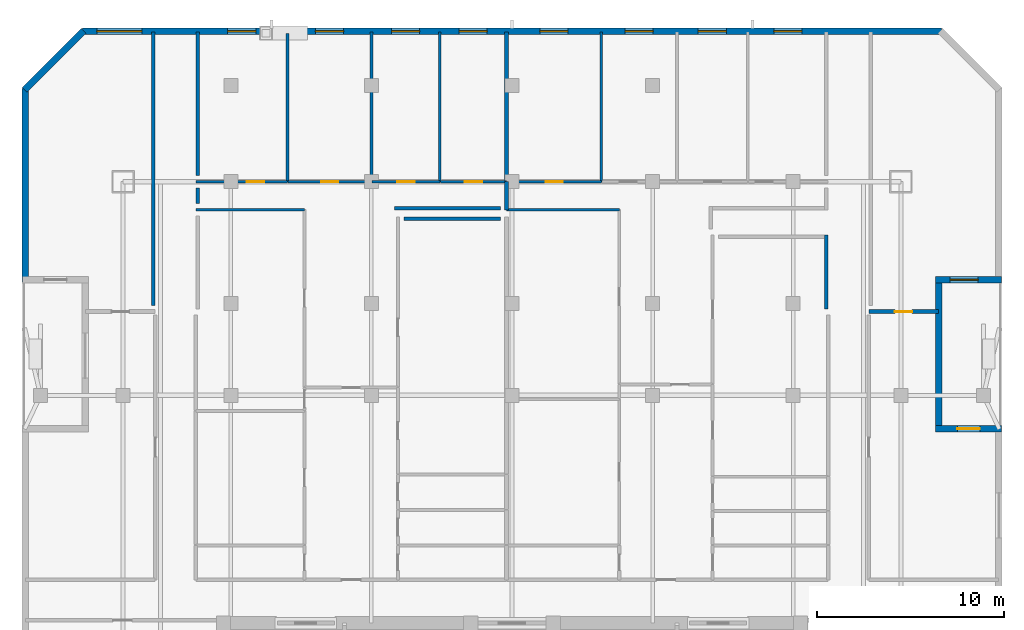
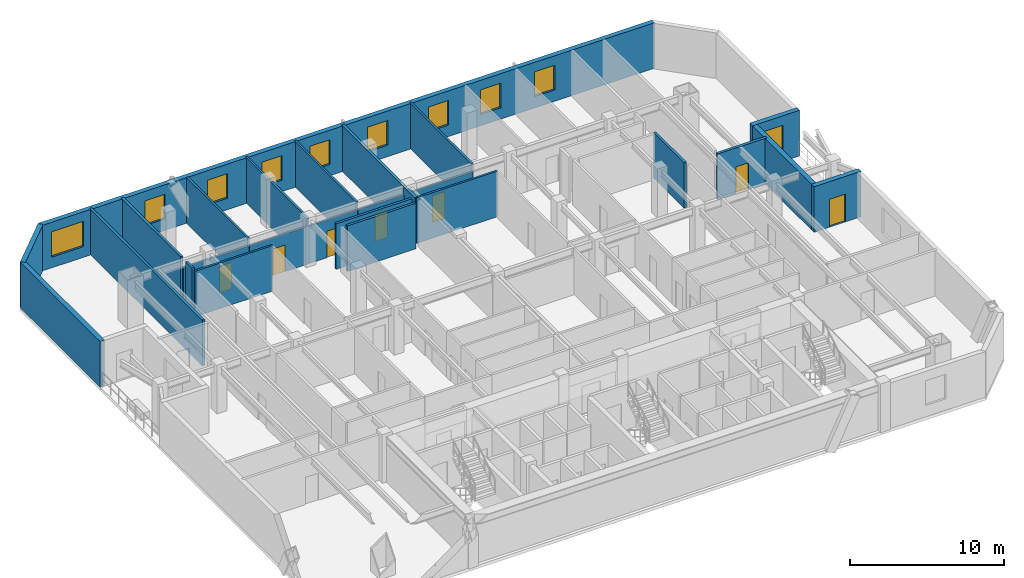
# One storey, part 6 of 9: 26 walls, 10 windows, 7 doors, 17 openings.
"""IFC4 building model written with IfcOpenShell, lengths in metres."""

import ifcopenshell
import ifcopenshell.guid

model = None  # the IFC model being written
_history = None  # IfcOwnerHistory: only IFC2X3 demands one
_inside = {}  # id of a spatial element -> (the spatial element, [elements in it])
_under = {}  # id of a project, library or spatial element -> (it, [spatial elements below it])
_declared = {}  # id of a project -> (the project, [libraries it declares])
_typed = {}  # id of a type object -> (the type object, [elements of that type])
_made_of = {}  # id of a material, layer set ... -> (it, [elements and type objects made of it])


def new_model(schema):
    """Start an empty IFC model of exactly this schema.

    Asked for "IFC4X3", IfcOpenShell would pick the latest addendum, in which some entities
    have other attributes; the version numbers below select the first issue.
    IFC2X3 requires an IfcOwnerHistory on every rooted entity: one is made here for all.
    """
    global model, _history
    if schema == "IFC4X3":
        model = ifcopenshell.file(schema_version=(4, 3, 0, 0))
    else:
        model = ifcopenshell.file(schema=schema)
    _inside.clear()
    _under.clear()
    _declared.clear()
    _typed.clear()
    _made_of.clear()
    _history = None
    if model.schema == "IFC2X3":
        org = make("IfcOrganization", Name="unknown")
        user = make(
            "IfcPersonAndOrganization",
            ThePerson=make("IfcPerson", FamilyName="unknown"),
            TheOrganization=org,
        )
        app = make(
            "IfcApplication",
            ApplicationDeveloper=org,
            Version="unknown",
            ApplicationFullName="unknown",
            ApplicationIdentifier="unknown",
        )
        _history = make(
            "IfcOwnerHistory",
            OwningUser=user,
            OwningApplication=app,
            ChangeAction="ADDED",
            CreationDate=0,
        )
    return model


def make(cls, **values):
    """One entity of the class cls with the attributes given. An attribute that is None is left unset."""
    return model.create_entity(
        cls, **{name: value for name, value in values.items() if value is not None}
    )


def rooted(cls, **values):
    """An entity with a GlobalId (a new one), such as an element, a storey or a relation."""
    return make(cls, GlobalId=ifcopenshell.guid.new(), OwnerHistory=_history, **values)


def si_unit(unit_type, name, prefix=None):
    """IfcSIUnit, for example si_unit("LENGTHUNIT", "METRE", prefix="MILLI")."""
    return make("IfcSIUnit", UnitType=unit_type, Prefix=prefix, Name=name)


def assignment(units):
    """IfcUnitAssignment: the units of a project."""
    return None if units is None else make("IfcUnitAssignment", Units=units)


def point(xyz):
    """IfcCartesianPoint."""
    return None if xyz is None else make("IfcCartesianPoint", Coordinates=xyz)


def direction(xyz):
    """IfcDirection."""
    return None if xyz is None else make("IfcDirection", DirectionRatios=xyz)


def frame(location, z_axis=None, x_axis=None):
    """IfcAxis2Placement3D, a coordinate frame: its origin and axes. An axis left out is left unset."""
    return make(
        "IfcAxis2Placement3D",
        Location=point(location),
        Axis=direction(z_axis),
        RefDirection=direction(x_axis),
    )


def frame_2d(location, x_axis=None):
    """IfcAxis2Placement2D, a coordinate frame in the plane: its origin and x axis."""
    return make(
        "IfcAxis2Placement2D", Location=point(location), RefDirection=direction(x_axis)
    )


def origin():
    """The frame at (0, 0, 0) with its axes left unset."""
    return frame((0.0, 0.0, 0.0))


def place(relative_to, where):
    """IfcLocalPlacement: puts the frame where relative to a parent placement (None: the world)."""
    return make(
        "IfcLocalPlacement", PlacementRelTo=relative_to, RelativePlacement=where
    )


def context(
    kind, dimensions, precision=None, world=None, true_north=None, identifier=None
):
    """IfcGeometricRepresentationContext, for example the 3D "Model" context."""
    return make(
        "IfcGeometricRepresentationContext",
        ContextIdentifier=identifier,
        ContextType=kind,
        CoordinateSpaceDimension=dimensions,
        Precision=precision,
        WorldCoordinateSystem=world,
        TrueNorth=true_north,
    )


def subcontext(parent, identifier, kind, view, scale=None):
    """IfcGeometricRepresentationSubContext, for example "Body" below "Model"."""
    return make(
        "IfcGeometricRepresentationSubContext",
        ContextIdentifier=identifier,
        ContextType=kind,
        ParentContext=parent,
        TargetScale=scale,
        TargetView=view,
    )


def project(units=None, contexts=None):
    """IfcProject with its units and contexts."""
    return rooted(
        "IfcProject",
        Name="project",
        RepresentationContexts=contexts,
        UnitsInContext=assignment(units),
    )


def spatial(cls, under=None, at=None, **own):
    """A site, building, storey or space (cls), placed at a placement, below another one or the project."""
    s = rooted(cls, ObjectPlacement=at, **own)
    if under is not None:
        _under.setdefault(under.id(), (under, []))[1].append(s)
    return s


def profile(cls, at=None, kind="AREA", **sizes):
    """A parametric profile (cls). Its sizes go by their IFC names, for example OverallWidth=200.0."""
    return make(cls, ProfileType=kind, Position=at, **sizes)


def rectangle(**sizes):
    """IfcRectangleProfileDef."""
    return profile("IfcRectangleProfileDef", **sizes)


def extrude(swept, where, along, depth):
    """IfcExtrudedAreaSolid: the profile swept, set in the frame where, extruded along a direction by depth."""
    return make(
        "IfcExtrudedAreaSolid",
        SweptArea=swept,
        Position=where,
        ExtrudedDirection=direction(along),
        Depth=depth,
    )


def shape(context_of_items, identifier, shape_type, items):
    """IfcShapeRepresentation: the items that make up one representation, for example the "Body"."""
    return make(
        "IfcShapeRepresentation",
        ContextOfItems=context_of_items,
        RepresentationIdentifier=identifier,
        RepresentationType=shape_type,
        Items=items,
    )


def material(Name=None, Category=None):
    """IfcMaterial."""
    return make("IfcMaterial", Name=Name, Category=Category)


def layer(
    of_material, thickness, ventilated=None, Name=None, Category=None, Priority=None
):
    """IfcMaterialLayer: one layer of a wall or slab, of a material (None: an air gap)."""
    return make(
        "IfcMaterialLayer",
        Material=of_material,
        LayerThickness=thickness,
        IsVentilated=ventilated,
        Name=Name,
        Category=Category,
        Priority=Priority,
    )


def layer_set(layers, Name=None):
    """IfcMaterialLayerSet."""
    return make("IfcMaterialLayerSet", MaterialLayers=layers, LayerSetName=Name)


def made_of(thing, what):
    """Note that an element or type object is made of a material, layer set ...; save() writes the relation."""
    if what is not None:
        _made_of.setdefault(what.id(), (what, []))[1].append(thing)
    return thing


def type_object(cls, material=None, **own):
    """A type object (cls), such as IfcWallType, which elements share."""
    return made_of(rooted(cls, **own), material)


def element(
    cls,
    number,
    at=None,
    inside=None,
    cuts=None,
    type_object=None,
    material=None,
    context=None,
    identifier="Body",
    shape_type=None,
    held_by="IfcProductDefinitionShape",
    body=None,
    shapes=None,
    **own,
):
    """One element of the class cls, such as IfcWall. Its Tag is "e" and its number.

    at: its placement. inside: the storey or other place that contains it. cuts: it is an
    opening in that element (IfcRelVoidsElement). A single representation is given by context,
    identifier, shape_type and body (its items); several are given by shapes. held_by: the class
    of the entity that holds the representations. save() writes the other relations.
    """
    e = rooted(cls, Tag="e%d" % number, ObjectPlacement=at, **own)
    if body is not None:
        shapes = [shape(context, identifier, shape_type, body)]
    if shapes is not None:
        e.Representation = make(held_by, Representations=shapes)
    if inside is not None:
        _inside.setdefault(inside.id(), (inside, []))[1].append(e)
    if cuts is not None:
        rooted(
            "IfcRelVoidsElement", RelatingBuildingElement=cuts, RelatedOpeningElement=e
        )
    if type_object is not None:
        _typed.setdefault(type_object.id(), (type_object, []))[1].append(e)
    return made_of(e, material)


def fill(opening, filler):
    """IfcRelFillsElement: the door or window that sits in an opening."""
    return rooted(
        "IfcRelFillsElement",
        RelatingOpeningElement=opening,
        RelatedBuildingElement=filler,
    )


def aggregate(whole, parts):
    """IfcRelAggregates: a whole, such as a stair, and the parts it consists of."""
    return rooted("IfcRelAggregates", RelatingObject=whole, RelatedObjects=parts)


def save(model, path):
    """Write the relations noted so far, then the file.

    IfcRelAggregates (storeys below a building ...), IfcRelContainedInSpatialStructure (elements
    in a storey), IfcRelDefinesByType, IfcRelAssociatesMaterial and IfcRelDeclares: one each for
    every whole, place, type object, material and project.
    """
    for whole, parts in _under.values():
        aggregate(whole, parts)
    for where, things in _inside.values():
        rooted(
            "IfcRelContainedInSpatialStructure",
            RelatedElements=things,
            RelatingStructure=where,
        )
    for kind, things in _typed.values():
        rooted("IfcRelDefinesByType", RelatedObjects=things, RelatingType=kind)
    for what, things in _made_of.values():
        rooted("IfcRelAssociatesMaterial", RelatedObjects=things, RelatingMaterial=what)
    for by, libraries in _declared.values():
        rooted("IfcRelDeclares", RelatingContext=by, RelatedDefinitions=libraries)
    model.write(path)


model = new_model("IFC4")

# Units and contexts
model_context = context("Model", 3, precision=1e-05, world=origin(), true_north=direction((0.0, 1.0)))
body_context = subcontext(model_context, "Body", "Model", "MODEL_VIEW")
ifc_project = project(units=[si_unit("LENGTHUNIT", "METRE"), si_unit("AREAUNIT", "SQUARE_METRE"), si_unit("VOLUMEUNIT", "CUBIC_METRE"), si_unit("PLANEANGLEUNIT", "RADIAN"), si_unit("MASSUNIT", "GRAM", prefix="KILO")], contexts=[model_context])

# Site, building, storey
site_placement = place(None, origin())
site = spatial("IfcSite", under=ifc_project, at=site_placement, CompositionType="ELEMENT")
building_placement = place(site_placement, origin())
building = spatial("IfcBuilding", under=site, at=building_placement, Name="Ventersveld Concourse Tower", CompositionType="ELEMENT")
storey_placement = place(building_placement, frame((0.0, 0.0, 115.699951171875)))
storey = spatial("IfcBuildingStorey", under=building, at=storey_placement, Name="L28", CompositionType="ELEMENT", Elevation=115.699951171875)

# Walls
ifc_material_1 = material(Name="Fire-rated autoclaved aerated masonry blockwork", Category="masonry")
ifc_layer_1 = layer(ifc_material_1, 0.179931640625)
ifc_layer_set_1 = layer_set([ifc_layer_1], Name="Fire-rated autoclaved aerated masonry blockwork")
wall_type_1 = type_object("IfcWallType", Name="WL-CORR-180", PredefinedType="PARTITIONING", material=ifc_layer_set_1)
wall_1_placement = place(storey_placement, frame((9.6201171875, 42.989990234375, 0.0), z_axis=(0.0, 0.0, 1.0), x_axis=(0.0, -1.0, 0.0)))
element("IfcWall", 1, at=wall_1_placement, inside=storey, type_object=wall_type_1, Name="L28 Room Enclosure Wall SP-L28-NWLNG2", PredefinedType="PARTITIONING", context=body_context, shape_type="SweptSolid", body=[
    extrude(rectangle(XDim=14.594970703125, YDim=0.179931640625, at=frame_2d((7.29736328125, 0.0))), origin(), (0.0, 0.0, 1.0), 3.60009765625),
])
wall_2_placement = place(storey_placement, frame((11.97998046875, 33.824951171875, 0.0), z_axis=(0.0, 0.0, 1.0), x_axis=(0.0, 1.0, 0.0)))
element("IfcWall", 2, at=wall_2_placement, inside=storey, type_object=wall_type_1, Name="L28 Room Enclosure Wall SP-L28-28N1-LIV", PredefinedType="PARTITIONING", context=body_context, shape_type="SweptSolid", body=[
    extrude(rectangle(XDim=0.85009765625, YDim=0.179931640625, at=frame_2d((0.425048828125, 0.0))), origin(), (0.0, 0.0, 1.0), 3.60009765625),
])
wall_3_placement = place(storey_placement, frame((28.1279296875, 33.590087890625, 0.0), z_axis=(0.0, 0.0, 1.0), x_axis=(-1.0, 0.0, 0.0)))
element("IfcWall", 3, at=wall_3_placement, inside=storey, type_object=wall_type_1, Name="L28 Room Enclosure Wall SP-L28-28N1-LIV", PredefinedType="PARTITIONING", context=body_context, shape_type="SweptSolid", body=[
    extrude(rectangle(XDim=5.6513671875, YDim=0.179931640625, at=frame_2d((2.82568359375, 0.0))), origin(), (0.0, 0.0, 1.0), 3.60009765625),
])
wall_4_placement = place(storey_placement, frame((22.986572265625, 33.015380859375, 0.0), z_axis=(0.0, 0.0, 1.0), x_axis=(1.0, 0.0, 0.0)))
element("IfcWall", 4, at=wall_4_placement, inside=storey, type_object=wall_type_1, Name="L28 Room Enclosure Wall SP-L28-28N1-DENR", PredefinedType="PARTITIONING", context=body_context, shape_type="SweptSolid", body=[
    extrude(rectangle(XDim=5.141357421875, YDim=0.179931640625, at=frame_2d((2.57080078125, 0.0))), origin(), (0.0, 0.0, 1.0), 3.60009765625),
])
wall_5_placement = place(storey_placement, frame((11.97998046875, 35.324951171875, 0.0), z_axis=(0.0, 0.0, 1.0), x_axis=(0.0, 1.0, 0.0)))
element("IfcWall", 5, at=wall_5_placement, inside=storey, type_object=wall_type_1, Name="L28 Room Enclosure Wall SP-L28-28N1-BR1", PredefinedType="PARTITIONING", context=body_context, shape_type="SweptSolid", body=[
    extrude(rectangle(XDim=7.6650390625, YDim=0.179931640625, at=frame_2d((3.83251953125, 0.0))), origin(), (0.0, 0.0, 1.0), 3.60009765625),
])
wall_6_placement = place(storey_placement, frame((45.52001953125, 32.15576171875, 0.0), z_axis=(0.0, 0.0, 1.0), x_axis=(0.0, -1.0, 0.0)))
element("IfcWall", 6, at=wall_6_placement, inside=storey, type_object=wall_type_1, Name="L28 Room Enclosure Wall SP-L28-28N2-DENR", PredefinedType="PARTITIONING", context=body_context, shape_type="SweptSolid", body=[
    extrude(rectangle(XDim=3.94580078125, YDim=0.179931640625, at=frame_2d((1.972900390625, 0.0))), origin(), (0.0, 0.0, 1.0), 3.60009765625),
])

# Wall, opening, door
ifc_layer_2 = layer(ifc_material_1, 0.199951171875)
ifc_layer_set_2 = layer_set([ifc_layer_2], Name="Fire-rated autoclaved aerated masonry blockwork")
wall_type_2 = type_object("IfcWallType", Name="WL-DEMISE-200", PredefinedType="PARTITIONING", material=ifc_layer_set_2)
wall_7_placement = place(storey_placement, frame((47.784912109375, 28.070068359375, 0.0), z_axis=(0.0, 0.0, 1.0), x_axis=(1.0, 0.0, 0.0)))
wall_7 = element("IfcWall", 7, at=wall_7_placement, inside=storey, type_object=wall_type_2, Name="L28 Interior Partition SP-L28-NELNG1-SP-L28-NELNG2", PredefinedType="PARTITIONING", context=body_context, shape_type="SweptSolid", body=[
    extrude(rectangle(XDim=3.705078125, YDim=0.199951171875, at=frame_2d((1.8525390625, 0.0))), origin(), (0.0, 0.0, 1.0), 3.60009765625),
])
opening_1_placement = place(wall_7_placement, frame((1.392578125, 0.0, 0.0)))
opening_1 = element("IfcOpeningElement", 8, at=opening_1_placement, cuts=wall_7, Name="Opening ID1", PredefinedType="OPENING", context=body_context, shape_type="SweptSolid", body=[
    extrude(rectangle(XDim=0.919921875, YDim=2.10009765625, at=frame_2d((0.4599609375, 1.050048828125))), frame((0.0, 0.10986328125, 0.0), z_axis=(0.0, -1.0, 0.0), x_axis=(1.0, 0.0, 0.0)), (0.0, 0.0, 1.0), 0.219970703125),
])
ifc_material_2 = material(Name="Solid-core hardwood veneer timber", Category="wood")
door_type_1 = type_object("IfcDoorType", Name="DR-ROOM-092", OperationType="NOTDEFINED", PredefinedType="DOOR", material=ifc_material_2)
door_1_placement = place(opening_1_placement, origin())
door_1 = element("IfcDoor", 9, at=door_1_placement, inside=storey, type_object=door_type_1, Name="L28 Interior Door SP-L28-NELNG1 to SP-L28-NELNG2 (D-L28-1391)", OperationType="SINGLE_SWING_LEFT", OverallHeight=2.10009765625, OverallWidth=0.919921875, PredefinedType="DOOR", context=body_context, shape_type="SweptSolid", body=[
    extrude(rectangle(XDim=0.919921875, YDim=2.10009765625, at=frame_2d((0.4599609375, 1.050048828125))), frame((0.0, 0.02490234375, 0.0), z_axis=(0.0, -1.0, 0.0), x_axis=(1.0, 0.0, 0.0)), (0.0, 0.0, 1.0), 0.050048828125),
])
fill(opening_1, door_1)

# Walls
wall_8_placement = place(storey_placement, frame((28.452880859375, 33.4951171875, 0.0), z_axis=(0.0, 0.0, 1.0), x_axis=(0.0, 1.0, 0.0)))
element("IfcWall", 10, at=wall_8_placement, inside=storey, type_object=wall_type_2, Name="L28 Interior Partition SP-L28-28N1-LIV-SP-L28-28N2-LIV", PredefinedType="PARTITIONING", context=body_context, shape_type="SweptSolid", body=[
    extrude(rectangle(XDim=1.509765625, YDim=0.199951171875, at=frame_2d((0.7548828125, 0.0))), origin(), (0.0, 0.0, 1.0), 3.60009765625),
])
wall_9_placement = place(storey_placement, frame((28.452880859375, 35.034912109375, 0.0), z_axis=(0.0, 0.0, 1.0), x_axis=(0.0, 1.0, 0.0)))
element("IfcWall", 11, at=wall_9_placement, inside=storey, type_object=wall_type_2, Name="L28 Interior Partition SP-L28-28N1-BR4-SP-L28-28N2-BR1", PredefinedType="PARTITIONING", context=body_context, shape_type="SweptSolid", body=[
    extrude(rectangle(XDim=7.955078125, YDim=0.199951171875, at=frame_2d((3.9775390625, 0.0))), origin(), (0.0, 0.0, 1.0), 3.60009765625),
])
ifc_material_3 = material(Name="Autoclaved aerated masonry blockwork", Category="masonry")
ifc_layer_3 = layer(ifc_material_3, 0.14990234375)
ifc_layer_set_3 = layer_set([ifc_layer_3], Name="Autoclaved aerated masonry blockwork")
wall_type_3 = type_object("IfcWallType", Name="WL-INT-150", PredefinedType="PARTITIONING", material=ifc_layer_set_3)
wall_10_placement = place(storey_placement, frame((11.885009765625, 33.5, 0.0), z_axis=(0.0, 0.0, 1.0), x_axis=(1.0, 0.0, 0.0)))
element("IfcWall", 12, at=wall_10_placement, inside=storey, type_object=wall_type_3, Name="L28 Interior Partition SP-L28-28N1-LIV-SP-L28-28N1-MEDL2", PredefinedType="PARTITIONING", context=body_context, shape_type="SweptSolid", body=[
    extrude(rectangle(XDim=5.801513671875, YDim=0.14990234375, at=frame_2d((2.90087890625, 0.0))), origin(), (0.0, 0.0, 1.0), 3.60009765625),
])

# Wall, opening, door
wall_11_placement = place(storey_placement, frame((11.885009765625, 35.0, 0.0), z_axis=(0.0, 0.0, 1.0), x_axis=(1.0, 0.0, 0.0)))
wall_11 = element("IfcWall", 13, at=wall_11_placement, inside=storey, type_object=wall_type_3, Name="L28 Interior Partition SP-L28-28N1-LIV-SP-L28-28N1-BR1", PredefinedType="PARTITIONING", context=body_context, shape_type="SweptSolid", body=[
    extrude(rectangle(XDim=4.893310546875, YDim=0.14990234375, at=frame_2d((2.44677734375, 0.0))), origin(), (0.0, 0.0, 1.0), 2.98291015625),
])
opening_2_placement = place(wall_11_placement, frame((2.720703125, 0.0, 0.0)))
opening_2 = element("IfcOpeningElement", 14, at=opening_2_placement, cuts=wall_11, Name="Opening ID1", PredefinedType="OPENING", context=body_context, shape_type="SweptSolid", body=[
    extrude(rectangle(XDim=0.919921875, YDim=2.10009765625, at=frame_2d((0.4599609375, 1.050048828125))), frame((0.0, 0.0849609375, 0.0), z_axis=(0.0, -1.0, 0.0), x_axis=(1.0, 0.0, 0.0)), (0.0, 0.0, 1.0), 0.169921875),
])
door_2_placement = place(opening_2_placement, origin())
door_2 = element("IfcDoor", 15, at=door_2_placement, inside=storey, type_object=door_type_1, Name="L28 Interior Door SP-L28-28N1-LIV to SP-L28-28N1-BR1 (D-L28-1402)", OperationType="SINGLE_SWING_RIGHT", OverallHeight=2.10009765625, OverallWidth=0.919921875, PredefinedType="DOOR", context=body_context, shape_type="SweptSolid", body=[
    extrude(rectangle(XDim=0.919921875, YDim=2.10009765625, at=frame_2d((0.4599609375, 1.050048828125))), frame((0.0, 0.02490234375, 0.0), z_axis=(0.0, -1.0, 0.0), x_axis=(1.0, 0.0, 0.0)), (0.0, 0.0, 1.0), 0.050048828125),
])
fill(opening_2, door_2)

wall_12_placement = place(storey_placement, frame((16.808349609375, 35.0, 0.0), z_axis=(0.0, 0.0, 1.0), x_axis=(1.0, 0.0, 0.0)))
wall_12 = element("IfcWall", 16, at=wall_12_placement, inside=storey, type_object=wall_type_3, Name="L28 Interior Partition SP-L28-28N1-LIV-SP-L28-28N1-BR2", PredefinedType="PARTITIONING", context=body_context, shape_type="SweptSolid", body=[
    extrude(rectangle(XDim=4.446533203125, YDim=0.14990234375, at=frame_2d((2.22314453125, 0.0))), origin(), (0.0, 0.0, 1.0), 2.98291015625),
])
opening_3_placement = place(wall_12_placement, frame((1.76318359375, 0.0, 0.0)))
opening_3 = element("IfcOpeningElement", 17, at=opening_3_placement, cuts=wall_12, Name="Opening ID1", PredefinedType="OPENING", context=body_context, shape_type="SweptSolid", body=[
    extrude(rectangle(XDim=0.919921875, YDim=2.10009765625, at=frame_2d((0.4599609375, 1.050048828125))), frame((0.0, 0.0849609375, 0.0), z_axis=(0.0, -1.0, 0.0), x_axis=(1.0, 0.0, 0.0)), (0.0, 0.0, 1.0), 0.169921875),
])
door_3_placement = place(opening_3_placement, origin())
door_3 = element("IfcDoor", 18, at=door_3_placement, inside=storey, type_object=door_type_1, Name="L28 Interior Door SP-L28-28N1-LIV to SP-L28-28N1-BR2 (D-L28-1403)", OperationType="SINGLE_SWING_LEFT", OverallHeight=2.10009765625, OverallWidth=0.919921875, PredefinedType="DOOR", context=body_context, shape_type="SweptSolid", body=[
    extrude(rectangle(XDim=0.919921875, YDim=2.10009765625, at=frame_2d((0.4599609375, 1.050048828125))), frame((0.0, 0.02490234375, 0.0), z_axis=(0.0, -1.0, 0.0), x_axis=(1.0, 0.0, 0.0)), (0.0, 0.0, 1.0), 0.050048828125),
])
fill(opening_3, door_3)

wall_13_placement = place(storey_placement, frame((21.284912109375, 35.0, 0.0), z_axis=(0.0, 0.0, 1.0), x_axis=(1.0, 0.0, 0.0)))
wall_13 = element("IfcWall", 19, at=wall_13_placement, inside=storey, type_object=wall_type_3, Name="L28 Interior Partition SP-L28-28N1-LIV-SP-L28-28N1-BR3", PredefinedType="PARTITIONING", context=body_context, shape_type="SweptSolid", body=[
    extrude(rectangle(XDim=3.61572265625, YDim=0.14990234375, at=frame_2d((1.807861328125, 0.0))), origin(), (0.0, 0.0, 1.0), 2.98291015625),
])
opening_4_placement = place(wall_13_placement, frame((1.347900390625, 0.0, 0.0)))
opening_4 = element("IfcOpeningElement", 20, at=opening_4_placement, cuts=wall_13, Name="Opening ID1", PredefinedType="OPENING", context=body_context, shape_type="SweptSolid", body=[
    extrude(rectangle(XDim=0.919921875, YDim=2.10009765625, at=frame_2d((0.4599609375, 1.050048828125))), frame((0.0, 0.0849609375, 0.0), z_axis=(0.0, -1.0, 0.0), x_axis=(1.0, 0.0, 0.0)), (0.0, 0.0, 1.0), 0.169921875),
])
door_4_placement = place(opening_4_placement, origin())
door_4 = element("IfcDoor", 21, at=door_4_placement, inside=storey, type_object=door_type_1, Name="L28 Interior Door SP-L28-28N1-LIV to SP-L28-28N1-BR3 (D-L28-1404)", OperationType="SINGLE_SWING_RIGHT", OverallHeight=2.10009765625, OverallWidth=0.919921875, PredefinedType="DOOR", context=body_context, shape_type="SweptSolid", body=[
    extrude(rectangle(XDim=0.919921875, YDim=2.10009765625, at=frame_2d((0.4599609375, 1.050048828125))), frame((0.0, 0.02490234375, 0.0), z_axis=(0.0, -1.0, 0.0), x_axis=(1.0, 0.0, 0.0)), (0.0, 0.0, 1.0), 0.050048828125),
])
fill(opening_4, door_4)

wall_14_placement = place(storey_placement, frame((24.9306640625, 35.0, 0.0), z_axis=(0.0, 0.0, 1.0), x_axis=(1.0, 0.0, 0.0)))
wall_14 = element("IfcWall", 22, at=wall_14_placement, inside=storey, type_object=wall_type_3, Name="L28 Interior Partition SP-L28-28N1-LIV-SP-L28-28N1-BR4", PredefinedType="PARTITIONING", context=body_context, shape_type="SweptSolid", body=[
    extrude(rectangle(XDim=3.52734375, YDim=0.14990234375, at=frame_2d((1.763671875, 0.0))), origin(), (0.0, 0.0, 1.0), 2.98291015625),
])
opening_5_placement = place(wall_14_placement, frame((1.3037109375, 0.0, 0.0)))
opening_5 = element("IfcOpeningElement", 23, at=opening_5_placement, cuts=wall_14, Name="Opening ID1", PredefinedType="OPENING", context=body_context, shape_type="SweptSolid", body=[
    extrude(rectangle(XDim=0.919921875, YDim=2.10009765625, at=frame_2d((0.4599609375, 1.050048828125))), frame((0.0, 0.0849609375, 0.0), z_axis=(0.0, -1.0, 0.0), x_axis=(1.0, 0.0, 0.0)), (0.0, 0.0, 1.0), 0.169921875),
])
door_5_placement = place(opening_5_placement, origin())
door_5 = element("IfcDoor", 24, at=door_5_placement, inside=storey, type_object=door_type_1, Name="L28 Interior Door SP-L28-28N1-LIV to SP-L28-28N1-BR4 (D-L28-1405)", OperationType="SINGLE_SWING_LEFT", OverallHeight=2.10009765625, OverallWidth=0.919921875, PredefinedType="DOOR", context=body_context, shape_type="SweptSolid", body=[
    extrude(rectangle(XDim=0.919921875, YDim=2.10009765625, at=frame_2d((0.4599609375, 1.050048828125))), frame((0.0, 0.02490234375, 0.0), z_axis=(0.0, -1.0, 0.0), x_axis=(1.0, 0.0, 0.0)), (0.0, 0.0, 1.0), 0.050048828125),
])
fill(opening_5, door_5)

# Walls
wall_15_placement = place(storey_placement, frame((16.7734375, 34.9951171875, 0.0), z_axis=(0.0, 0.0, 1.0), x_axis=(0.0, 1.0, 0.0)))
element("IfcWall", 25, at=wall_15_placement, inside=storey, type_object=wall_type_3, Name="L28 Interior Partition SP-L28-28N1-BR1-SP-L28-28N1-BR2", PredefinedType="PARTITIONING", context=body_context, shape_type="SweptSolid", body=[
    extrude(rectangle(XDim=7.906982421875, YDim=0.14990234375, at=frame_2d((3.95361328125, 0.0))), origin(), (0.0, 0.0, 1.0), 3.60009765625),
])
for number, where, z_axis, x_axis, name in (
    (26, (21.25, 34.9951171875, 0.0), (0.0, 0.0, 1.0), (0.0, 1.0, 0.0), "L28 Interior Partition SP-L28-28N1-BR2-SP-L28-28N1-BR3"),
    (27, (24.8955078125, 34.9951171875, 0.0), (0.0, 0.0, 1.0), (0.0, 1.0, 0.0), "L28 Interior Partition SP-L28-28N1-BR3-SP-L28-28N1-BR4"),
):
    element("IfcWall", number, at=place(storey_placement, frame(where, z_axis=z_axis, x_axis=x_axis)), inside=storey, type_object=wall_type_3, Name=name, PredefinedType="PARTITIONING", context=body_context, shape_type="SweptSolid", body=[
        extrude(rectangle(XDim=7.994873046875, YDim=0.14990234375, at=frame_2d((3.99755859375, 0.0))), origin(), (0.0, 0.0, 1.0), 3.60009765625),
    ])
wall_16_placement = place(storey_placement, frame((28.447998046875, 33.5, 0.0), z_axis=(0.0, 0.0, 1.0), x_axis=(1.0, 0.0, 0.0)))
element("IfcWall", 28, at=wall_16_placement, inside=storey, type_object=wall_type_3, Name="L28 Interior Partition SP-L28-28N2-LIV-SP-L28-28N2-MEDL2", PredefinedType="PARTITIONING", context=body_context, shape_type="SweptSolid", body=[
    extrude(rectangle(XDim=6.02783203125, YDim=0.14990234375, at=frame_2d((3.013916015625, 0.0))), origin(), (0.0, 0.0, 1.0), 3.60009765625),
])

# Wall, opening, door
wall_17_placement = place(storey_placement, frame((28.48779296875, 35.0, 0.0), z_axis=(0.0, 0.0, 1.0), x_axis=(1.0, 0.0, 0.0)))
wall_17 = element("IfcWall", 29, at=wall_17_placement, inside=storey, type_object=wall_type_3, Name="L28 Interior Partition SP-L28-28N2-LIV-SP-L28-28N2-BR1", PredefinedType="PARTITIONING", context=body_context, shape_type="SweptSolid", body=[
    extrude(rectangle(XDim=5.02978515625, YDim=0.14990234375, at=frame_2d((2.514892578125, 0.0))), origin(), (0.0, 0.0, 1.0), 2.98291015625),
])
opening_6_placement = place(wall_17_placement, frame((2.054931640625, 0.0, 0.0)))
opening_6 = element("IfcOpeningElement", 30, at=opening_6_placement, cuts=wall_17, Name="Opening ID1", PredefinedType="OPENING", context=body_context, shape_type="SweptSolid", body=[
    extrude(rectangle(XDim=0.919921875, YDim=2.10009765625, at=frame_2d((0.4599609375, 1.050048828125))), frame((0.0, 0.0849609375, 0.0), z_axis=(0.0, -1.0, 0.0), x_axis=(1.0, 0.0, 0.0)), (0.0, 0.0, 1.0), 0.169921875),
])
door_6_placement = place(opening_6_placement, origin())
door_6 = element("IfcDoor", 31, at=door_6_placement, inside=storey, type_object=door_type_1, Name="L28 Interior Door SP-L28-28N2-LIV to SP-L28-28N2-BR1 (D-L28-1415)", OperationType="SINGLE_SWING_LEFT", OverallHeight=2.10009765625, OverallWidth=0.919921875, PredefinedType="DOOR", context=body_context, shape_type="SweptSolid", body=[
    extrude(rectangle(XDim=0.919921875, YDim=2.10009765625, at=frame_2d((0.4599609375, 1.050048828125))), frame((0.0, 0.02490234375, 0.0), z_axis=(0.0, -1.0, 0.0), x_axis=(1.0, 0.0, 0.0)), (0.0, 0.0, 1.0), 0.050048828125),
])
fill(opening_6, door_6)

# Wall
wall_18_placement = place(storey_placement, frame((33.5126953125, 34.9951171875, 0.0), z_axis=(0.0, 0.0, 1.0), x_axis=(0.0, 1.0, 0.0)))
element("IfcWall", 32, at=wall_18_placement, inside=storey, type_object=wall_type_3, Name="L28 Interior Partition SP-L28-28N2-BR1-SP-L28-28N2-BR2", PredefinedType="PARTITIONING", context=body_context, shape_type="SweptSolid", body=[
    extrude(rectangle(XDim=7.994873046875, YDim=0.14990234375, at=frame_2d((3.99755859375, 0.0))), origin(), (0.0, 0.0, 1.0), 3.60009765625),
])

# Wall, opening, door
ifc_material_4 = material(Name="Precast concrete C45/55", Category="concrete")
ifc_layer_4 = layer(ifc_material_4, 0.35009765625)
ifc_layer_set_4 = layer_set([ifc_layer_4], Name="Precast concrete C45/55")
wall_type_4 = type_object("IfcWallType", Name="WL-PREC-350", PredefinedType="SOLIDWALL", material=ifc_layer_set_4)
wall_19_placement = place(storey_placement, frame((54.860107421875, 21.824951171875, 0.0), z_axis=(0.0, 0.0, 1.0), x_axis=(-1.0, 0.0, 0.0)))
wall_19 = element("IfcWall", 33, at=wall_19_placement, inside=storey, type_object=wall_type_4, Name="L28 Highveld Precast Facade Wall E04", PredefinedType="SOLIDWALL", context=body_context, shape_type="SweptSolid", body=[
    extrude(rectangle(XDim=3.510009765625, YDim=0.35009765625, at=frame_2d((1.7548828125, 0.0))), origin(), (0.0, 0.0, 1.0), 3.60009765625),
])
opening_7_placement = place(wall_19_placement, frame((1.155029296875, 0.0, 0.0)))
opening_7 = element("IfcOpeningElement", 34, at=opening_7_placement, cuts=wall_19, Name="Opening TD1", PredefinedType="OPENING", context=body_context, shape_type="SweptSolid", body=[
    extrude(rectangle(XDim=1.199951171875, YDim=2.199951171875, at=frame_2d((0.60009765625, 1.10009765625))), frame((0.0, 0.18505859375, 0.0), z_axis=(0.0, -1.0, 0.0), x_axis=(1.0, 0.0, 0.0)), (0.0, 0.0, 1.0), 0.3701171875),
])
ifc_material_5 = material(Name="Anodised aluminium EN AW-6063-T6", Category="aluminium")
door_type_2 = type_object("IfcDoorType", Name="DR-TERR-120", OperationType="NOTDEFINED", PredefinedType="DOOR", material=ifc_material_5)
door_7_placement = place(opening_7_placement, frame((1.199951171875, 0.0, 0.0), z_axis=(0.0, 0.0, 1.0), x_axis=(-1.0, 0.0, 0.0)))
door_7 = element("IfcDoor", 35, at=door_7_placement, inside=storey, type_object=door_type_2, Name="L28 Stepped Valley Terrace Door TD-L28-02", OperationType="SINGLE_SWING_RIGHT", OverallHeight=2.199951171875, OverallWidth=1.199951171875, PredefinedType="DOOR", context=body_context, shape_type="SweptSolid", body=[
    extrude(rectangle(XDim=1.199951171875, YDim=2.199951171875, at=frame_2d((0.60009765625, 1.10009765625))), frame((0.0, 0.02490234375, 0.0), z_axis=(0.0, -1.0, 0.0), x_axis=(1.0, 0.0, 0.0)), (0.0, 0.0, 1.0), 0.050048828125),
])
fill(opening_7, door_7)

# Wall
wall_20_placement = place(storey_placement, frame((51.52490234375, 22.0, 0.0), z_axis=(0.0, 0.0, 1.0), x_axis=(0.0, 1.0, 0.0)))
element("IfcWall", 36, at=wall_20_placement, inside=storey, type_object=wall_type_4, Name="L28 Highveld Precast Facade Wall E05", PredefinedType="SOLIDWALL", context=body_context, shape_type="SweptSolid", body=[
    extrude(rectangle(XDim=7.60009765625, YDim=0.35009765625, at=frame_2d((3.800048828125, 0.0))), origin(), (0.0, 0.0, 1.0), 3.60009765625),
])

# Wall, opening, window
wall_21_placement = place(storey_placement, frame((51.35009765625, 29.77490234375, 0.0), z_axis=(0.0, 0.0, 1.0), x_axis=(1.0, 0.0, 0.0)))
wall_21 = element("IfcWall", 37, at=wall_21_placement, inside=storey, type_object=wall_type_4, Name="L28 Highveld Precast Facade Wall E06", PredefinedType="SOLIDWALL", context=body_context, shape_type="SweptSolid", body=[
    extrude(rectangle(XDim=3.510009765625, YDim=0.35009765625, at=frame_2d((1.7548828125, 0.0))), origin(), (0.0, 0.0, 1.0), 3.60009765625),
])
opening_8_placement = place(wall_21_placement, frame((0.77001953125, 0.0, 0.89990234375)))
opening_8 = element("IfcOpeningElement", 38, at=opening_8_placement, cuts=wall_21, Name="Opening W1", PredefinedType="OPENING", context=body_context, shape_type="SweptSolid", body=[
    extrude(rectangle(XDim=1.5, YDim=1.949951171875, at=frame_2d((0.75, 0.97509765625))), frame((0.0, 0.18505859375, 0.0), z_axis=(0.0, -1.0, 0.0), x_axis=(1.0, 0.0, 0.0)), (0.0, 0.0, 1.0), 0.3701171875),
])
ifc_material_6 = material(Name="Tempered acoustic Low-E IGU", Category="glass")
window_type_1 = type_object("IfcWindowType", Name="WIN-150x210", PartitioningType="SINGLE_PANEL", PredefinedType="WINDOW", material=ifc_material_6)
window_1_placement = place(opening_8_placement, origin())
window_1 = element("IfcWindow", 39, at=window_1_placement, inside=storey, type_object=window_type_1, Name="L28 Punched Low-E Window W-0346", OverallHeight=1.949951171875, OverallWidth=1.5, PartitioningType="SINGLE_PANEL", PredefinedType="WINDOW", context=body_context, shape_type="SweptSolid", body=[
    extrude(rectangle(XDim=1.5, YDim=1.949951171875, at=frame_2d((0.75, 0.97509765625))), frame((0.0, 0.030029296875, 0.0), z_axis=(0.0, -1.0, 0.0), x_axis=(1.0, 0.0, 0.0)), (0.0, 0.0, 1.0), 0.06005859375),
])
fill(opening_8, window_1)

# Wall, openings, windows
wall_22_placement = place(storey_placement, frame((51.659912109375, 43.02490234375, 0.0), z_axis=(0.0, 0.0, 1.0), x_axis=(-1.0, 0.0, 0.0)))
wall_22 = element("IfcWall", 40, at=wall_22_placement, inside=storey, type_object=wall_type_4, Name="L28 Highveld Precast Facade Wall E09", PredefinedType="SOLIDWALL", context=body_context, shape_type="SweptSolid", body=[
    extrude(rectangle(XDim=45.81982421875, YDim=0.35009765625, at=frame_2d((22.909912109375, 0.0))), origin(), (0.0, 0.0, 1.0), 3.60009765625),
])
opening_9_placement = place(wall_22_placement, frame((42.64990234375, 0.0, 0.85009765625)))
opening_9 = element("IfcOpeningElement", 41, at=opening_9_placement, cuts=wall_22, Name="Opening W5", PredefinedType="OPENING", context=body_context, shape_type="SweptSolid", body=[
    extrude(rectangle(XDim=2.39990234375, YDim=2.0, at=frame_2d((1.199951171875, 1.0))), frame((0.0, 0.18505859375, 0.0), z_axis=(0.0, -1.0, 0.0), x_axis=(1.0, 0.0, 0.0)), (0.0, 0.0, 1.0), 0.3701171875),
])
opening_10_placement = place(wall_22_placement, frame((36.578369140625, 0.0, 0.89990234375)))
opening_10 = element("IfcOpeningElement", 42, at=opening_10_placement, cuts=wall_22, Name="Opening W1", PredefinedType="OPENING", context=body_context, shape_type="SweptSolid", body=[
    extrude(rectangle(XDim=1.5, YDim=1.949951171875, at=frame_2d((0.75, 0.97509765625))), frame((0.0, 0.18505859375, 0.0), z_axis=(0.0, -1.0, 0.0), x_axis=(1.0, 0.0, 0.0)), (0.0, 0.0, 1.0), 0.3701171875),
])
opening_11_placement = place(wall_22_placement, frame((31.898193359375, 0.0, 0.89990234375)))
opening_11 = element("IfcOpeningElement", 43, at=opening_11_placement, cuts=wall_22, Name="Opening W1", PredefinedType="OPENING", context=body_context, shape_type="SweptSolid", body=[
    extrude(rectangle(XDim=1.5, YDim=1.949951171875, at=frame_2d((0.75, 0.97509765625))), frame((0.0, 0.18505859375, 0.0), z_axis=(0.0, -1.0, 0.0), x_axis=(1.0, 0.0, 0.0)), (0.0, 0.0, 1.0), 0.3701171875),
])
opening_12_placement = place(wall_22_placement, frame((27.837158203125, 0.0, 0.89990234375)))
opening_12 = element("IfcOpeningElement", 44, at=opening_12_placement, cuts=wall_22, Name="Opening W1", PredefinedType="OPENING", context=body_context, shape_type="SweptSolid", body=[
    extrude(rectangle(XDim=1.5, YDim=1.949951171875, at=frame_2d((0.75, 0.97509765625))), frame((0.0, 0.18505859375, 0.0), z_axis=(0.0, -1.0, 0.0), x_axis=(1.0, 0.0, 0.0)), (0.0, 0.0, 1.0), 0.3701171875),
])
opening_13_placement = place(wall_22_placement, frame((24.235595703125, 0.0, 0.89990234375)))
opening_13 = element("IfcOpeningElement", 45, at=opening_13_placement, cuts=wall_22, Name="Opening W1", PredefinedType="OPENING", context=body_context, shape_type="SweptSolid", body=[
    extrude(rectangle(XDim=1.5, YDim=1.949951171875, at=frame_2d((0.75, 0.97509765625))), frame((0.0, 0.18505859375, 0.0), z_axis=(0.0, -1.0, 0.0), x_axis=(1.0, 0.0, 0.0)), (0.0, 0.0, 1.0), 0.3701171875),
])
opening_14_placement = place(wall_22_placement, frame((19.92724609375, 0.0, 0.89990234375)))
opening_14 = element("IfcOpeningElement", 46, at=opening_14_placement, cuts=wall_22, Name="Opening W1", PredefinedType="OPENING", context=body_context, shape_type="SweptSolid", body=[
    extrude(rectangle(XDim=1.5, YDim=1.949951171875, at=frame_2d((0.75, 0.97509765625))), frame((0.0, 0.18505859375, 0.0), z_axis=(0.0, -1.0, 0.0), x_axis=(1.0, 0.0, 0.0)), (0.0, 0.0, 1.0), 0.3701171875),
])
opening_15_placement = place(wall_22_placement, frame((15.381103515625, 0.0, 0.89990234375)))
opening_15 = element("IfcOpeningElement", 47, at=opening_15_placement, cuts=wall_22, Name="Opening W1", PredefinedType="OPENING", context=body_context, shape_type="SweptSolid", body=[
    extrude(rectangle(XDim=1.5, YDim=1.949951171875, at=frame_2d((0.75, 0.97509765625))), frame((0.0, 0.18505859375, 0.0), z_axis=(0.0, -1.0, 0.0), x_axis=(1.0, 0.0, 0.0)), (0.0, 0.0, 1.0), 0.3701171875),
])
opening_16_placement = place(wall_22_placement, frame((11.47705078125, 0.0, 0.89990234375)))
opening_16 = element("IfcOpeningElement", 48, at=opening_16_placement, cuts=wall_22, Name="Opening W1", PredefinedType="OPENING", context=body_context, shape_type="SweptSolid", body=[
    extrude(rectangle(XDim=1.5, YDim=1.949951171875, at=frame_2d((0.75, 0.97509765625))), frame((0.0, 0.18505859375, 0.0), z_axis=(0.0, -1.0, 0.0), x_axis=(1.0, 0.0, 0.0)), (0.0, 0.0, 1.0), 0.3701171875),
])
opening_17_placement = place(wall_22_placement, frame((7.444580078125, 0.0, 0.89990234375)))
opening_17 = element("IfcOpeningElement", 49, at=opening_17_placement, cuts=wall_22, Name="Opening W1", PredefinedType="OPENING", context=body_context, shape_type="SweptSolid", body=[
    extrude(rectangle(XDim=1.5, YDim=1.949951171875, at=frame_2d((0.75, 0.97509765625))), frame((0.0, 0.18505859375, 0.0), z_axis=(0.0, -1.0, 0.0), x_axis=(1.0, 0.0, 0.0)), (0.0, 0.0, 1.0), 0.3701171875),
])
window_2_placement = place(opening_10_placement, origin())
window_2 = element("IfcWindow", 50, at=window_2_placement, inside=storey, type_object=window_type_1, Name="L28 Punched Low-E Window W-0347", OverallHeight=1.949951171875, OverallWidth=1.5, PartitioningType="SINGLE_PANEL", PredefinedType="WINDOW", context=body_context, shape_type="SweptSolid", body=[
    extrude(rectangle(XDim=1.5, YDim=1.949951171875, at=frame_2d((0.75, 0.97509765625))), frame((0.0, 0.030029296875, 0.0), z_axis=(0.0, -1.0, 0.0), x_axis=(1.0, 0.0, 0.0)), (0.0, 0.0, 1.0), 0.06005859375),
])
fill(opening_10, window_2)
window_3_placement = place(opening_11_placement, origin())
window_3 = element("IfcWindow", 51, at=window_3_placement, inside=storey, type_object=window_type_1, Name="L28 Punched Low-E Window W-0348", OverallHeight=1.949951171875, OverallWidth=1.5, PartitioningType="SINGLE_PANEL", PredefinedType="WINDOW", context=body_context, shape_type="SweptSolid", body=[
    extrude(rectangle(XDim=1.5, YDim=1.949951171875, at=frame_2d((0.75, 0.97509765625))), frame((0.0, 0.030029296875, 0.0), z_axis=(0.0, -1.0, 0.0), x_axis=(1.0, 0.0, 0.0)), (0.0, 0.0, 1.0), 0.06005859375),
])
fill(opening_11, window_3)
window_4_placement = place(opening_12_placement, origin())
window_4 = element("IfcWindow", 52, at=window_4_placement, inside=storey, type_object=window_type_1, Name="L28 Punched Low-E Window W-0349", OverallHeight=1.949951171875, OverallWidth=1.5, PartitioningType="SINGLE_PANEL", PredefinedType="WINDOW", context=body_context, shape_type="SweptSolid", body=[
    extrude(rectangle(XDim=1.5, YDim=1.949951171875, at=frame_2d((0.75, 0.97509765625))), frame((0.0, 0.030029296875, 0.0), z_axis=(0.0, -1.0, 0.0), x_axis=(1.0, 0.0, 0.0)), (0.0, 0.0, 1.0), 0.06005859375),
])
fill(opening_12, window_4)
window_5_placement = place(opening_13_placement, origin())
window_5 = element("IfcWindow", 53, at=window_5_placement, inside=storey, type_object=window_type_1, Name="L28 Punched Low-E Window W-0350", OverallHeight=1.949951171875, OverallWidth=1.5, PartitioningType="SINGLE_PANEL", PredefinedType="WINDOW", context=body_context, shape_type="SweptSolid", body=[
    extrude(rectangle(XDim=1.5, YDim=1.949951171875, at=frame_2d((0.75, 0.97509765625))), frame((0.0, 0.030029296875, 0.0), z_axis=(0.0, -1.0, 0.0), x_axis=(1.0, 0.0, 0.0)), (0.0, 0.0, 1.0), 0.06005859375),
])
fill(opening_13, window_5)
window_6_placement = place(opening_14_placement, origin())
window_6 = element("IfcWindow", 54, at=window_6_placement, inside=storey, type_object=window_type_1, Name="L28 Punched Low-E Window W-0351", OverallHeight=1.949951171875, OverallWidth=1.5, PartitioningType="SINGLE_PANEL", PredefinedType="WINDOW", context=body_context, shape_type="SweptSolid", body=[
    extrude(rectangle(XDim=1.5, YDim=1.949951171875, at=frame_2d((0.75, 0.97509765625))), frame((0.0, 0.030029296875, 0.0), z_axis=(0.0, -1.0, 0.0), x_axis=(1.0, 0.0, 0.0)), (0.0, 0.0, 1.0), 0.06005859375),
])
fill(opening_14, window_6)
window_7_placement = place(opening_15_placement, origin())
window_7 = element("IfcWindow", 55, at=window_7_placement, inside=storey, type_object=window_type_1, Name="L28 Punched Low-E Window W-0352", OverallHeight=1.949951171875, OverallWidth=1.5, PartitioningType="SINGLE_PANEL", PredefinedType="WINDOW", context=body_context, shape_type="SweptSolid", body=[
    extrude(rectangle(XDim=1.5, YDim=1.949951171875, at=frame_2d((0.75, 0.97509765625))), frame((0.0, 0.030029296875, 0.0), z_axis=(0.0, -1.0, 0.0), x_axis=(1.0, 0.0, 0.0)), (0.0, 0.0, 1.0), 0.06005859375),
])
fill(opening_15, window_7)
window_8_placement = place(opening_16_placement, origin())
window_8 = element("IfcWindow", 56, at=window_8_placement, inside=storey, type_object=window_type_1, Name="L28 Punched Low-E Window W-0353", OverallHeight=1.949951171875, OverallWidth=1.5, PartitioningType="SINGLE_PANEL", PredefinedType="WINDOW", context=body_context, shape_type="SweptSolid", body=[
    extrude(rectangle(XDim=1.5, YDim=1.949951171875, at=frame_2d((0.75, 0.97509765625))), frame((0.0, 0.030029296875, 0.0), z_axis=(0.0, -1.0, 0.0), x_axis=(1.0, 0.0, 0.0)), (0.0, 0.0, 1.0), 0.06005859375),
])
fill(opening_16, window_8)
window_9_placement = place(opening_17_placement, origin())
window_9 = element("IfcWindow", 57, at=window_9_placement, inside=storey, type_object=window_type_1, Name="L28 Punched Low-E Window W-0354", OverallHeight=1.949951171875, OverallWidth=1.5, PartitioningType="SINGLE_PANEL", PredefinedType="WINDOW", context=body_context, shape_type="SweptSolid", body=[
    extrude(rectangle(XDim=1.5, YDim=1.949951171875, at=frame_2d((0.75, 0.97509765625))), frame((0.0, 0.030029296875, 0.0), z_axis=(0.0, -1.0, 0.0), x_axis=(1.0, 0.0, 0.0)), (0.0, 0.0, 1.0), 0.06005859375),
])
fill(opening_17, window_9)
window_type_2 = type_object("IfcWindowType", Name="WIN-240x210", PartitioningType="SINGLE_PANEL", PredefinedType="WINDOW", material=ifc_material_6)
window_10_placement = place(opening_9_placement, origin())
window_10 = element("IfcWindow", 58, at=window_10_placement, inside=storey, type_object=window_type_2, Name="L28 Punched Low-E Window W-0344", OverallHeight=2.0, OverallWidth=2.39990234375, PartitioningType="SINGLE_PANEL", PredefinedType="WINDOW", context=body_context, shape_type="SweptSolid", body=[
    extrude(rectangle(XDim=2.39990234375, YDim=2.0, at=frame_2d((1.199951171875, 1.0))), frame((0.0, 0.030029296875, 0.0), z_axis=(0.0, -1.0, 0.0), x_axis=(1.0, 0.0, 0.0)), (0.0, 0.0, 1.0), 0.06005859375),
])
fill(opening_9, window_10)

# Walls
wall_23_placement = place(storey_placement, frame((5.8955078125, 43.048095703125, 0.0), z_axis=(0.0, 0.0, 1.0), x_axis=(-0.707106781187, -0.707106781187, 0.0)))
element("IfcWall", 59, at=wall_23_placement, inside=storey, type_object=wall_type_4, Name="L28 Highveld Precast Facade Wall E10", PredefinedType="SOLIDWALL", context=body_context, shape_type="SweptSolid", body=[
    extrude(rectangle(XDim=4.445556640625, YDim=0.35009765625, at=frame_2d((2.22265625, 0.0))), origin(), (0.0, 0.0, 1.0), 3.60009765625),
])
wall_24_placement = place(storey_placement, frame((2.77490234375, 39.9599609375, 0.0), z_axis=(0.0, 0.0, 1.0), x_axis=(0.0, -1.0, 0.0)))
element("IfcWall", 60, at=wall_24_placement, inside=storey, type_object=wall_type_4, Name="L28 Highveld Precast Facade Wall E11", PredefinedType="SOLIDWALL", context=body_context, shape_type="SweptSolid", body=[
    extrude(rectangle(XDim=10.320068359375, YDim=0.35009765625, at=frame_2d((5.16015625, 0.0))), origin(), (0.0, 0.0, 1.0), 3.60009765625),
])

save(model, "model.ifc")
